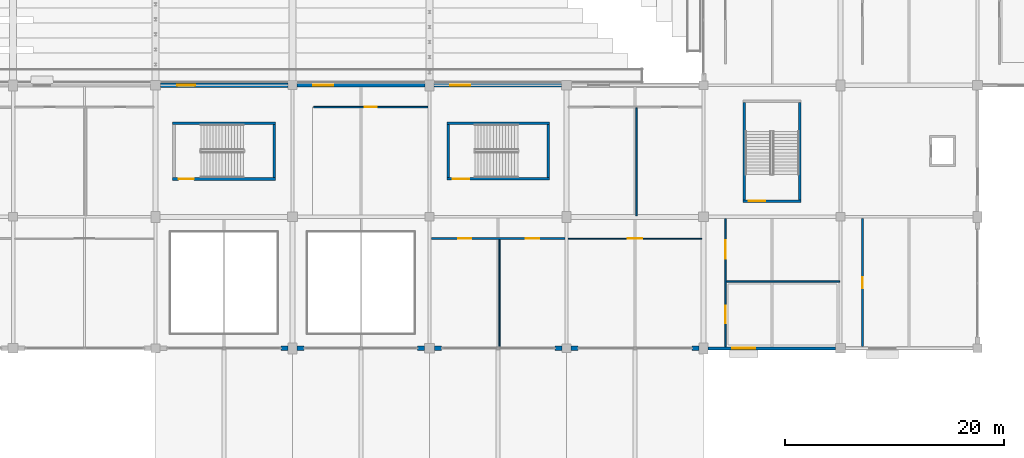
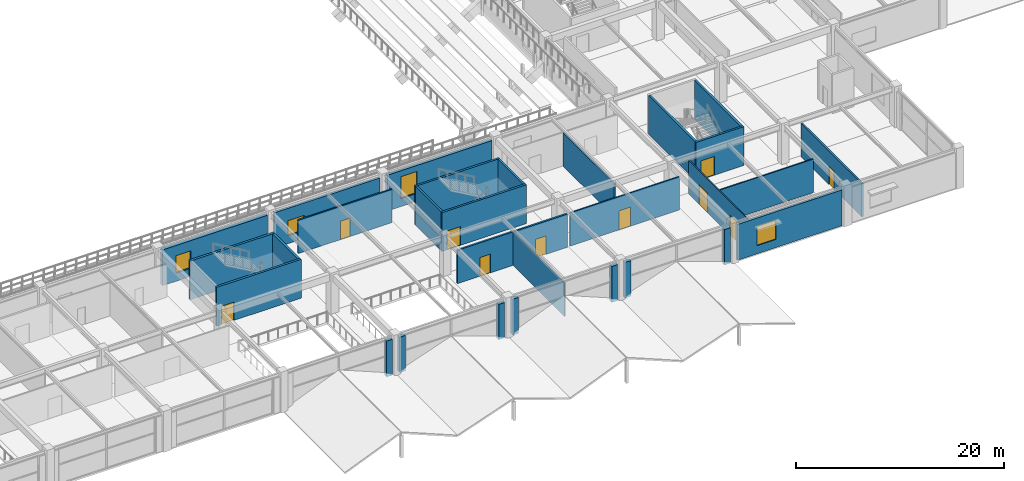
# One storey, part 83 of 134: 29 walls, 10 doors, 4 windows, 14 openings.
"""IFC4 building model written with IfcOpenShell, lengths in metres."""

from ifc_helpers import new_model, si_unit, direction, frame, frame_2d, origin, place, context, subcontext, project, spatial, rectangle, extrude, material, layer, layer_set, type_object, element, fill, save


model = new_model("IFC4")

# Units and contexts
model_context = context("Model", 3, precision=1e-05, world=origin(), true_north=direction((0.0, 1.0)))
body_context = subcontext(model_context, "Body", "Model", "MODEL_VIEW")
ifc_project = project(units=[si_unit("LENGTHUNIT", "METRE"), si_unit("AREAUNIT", "SQUARE_METRE"), si_unit("VOLUMEUNIT", "CUBIC_METRE"), si_unit("PLANEANGLEUNIT", "RADIAN"), si_unit("MASSUNIT", "GRAM", prefix="KILO")], contexts=[model_context])

# Site, building, storey
site_placement = place(None, origin())
site = spatial("IfcSite", under=ifc_project, at=site_placement, CompositionType="ELEMENT")
building_placement = place(site_placement, origin())
building = spatial("IfcBuilding", under=site, at=building_placement, Name="Kazenohara Klinker Stadium", CompositionType="ELEMENT")
storey_placement = place(building_placement, frame((0.0, 0.0, 5.39990234375)))
storey = spatial("IfcBuildingStorey", under=building, at=storey_placement, Name="L01", CompositionType="ELEMENT", Elevation=5.39990234375)

# Wall, opening, door
ifc_material_1 = material(Name="Concrete C40/50", Category="concrete")
ifc_layer_1 = layer(ifc_material_1, 0.22998046875)
ifc_layer_set_1 = layer_set([ifc_layer_1], Name="Concrete C40/50")
wall_type_1 = type_object("IfcWallType", Name="WAL-CORE-230", PredefinedType="SHEAR", material=ifc_layer_set_1)
wall_1_placement = place(storey_placement, frame((178.590087890625, 25.43505859375, 0.0), z_axis=(0.0, 0.0, 1.0), x_axis=(1.0, 0.0, 0.0)))
wall_1 = element("IfcWall", 1, at=wall_1_placement, inside=storey, type_object=wall_type_1, Name="Stairwell shear wall ST16 L01 South", PredefinedType="SHEAR", context=body_context, shape_type="SweptSolid", body=[
    extrude(rectangle(XDim=5.31982421875, YDim=0.22998046875, at=frame_2d((2.659912109375, 0.0))), origin(), (0.0, 0.0, 1.0), 4.550048828125),
])
opening_1_placement = place(wall_1_placement, frame((0.550048828125, 0.0, 0.0)))
opening_1 = element("IfcOpeningElement", 2, at=opening_1_placement, cuts=wall_1, Name="Opening SD02", PredefinedType="OPENING", context=body_context, shape_type="SweptSolid", body=[
    extrude(rectangle(XDim=1.5, YDim=2.199951171875, at=frame_2d((0.75, 1.10009765625))), frame((0.0, 0.125, 0.0), z_axis=(0.0, -1.0, 0.0), x_axis=(1.0, 0.0, 0.0)), (0.0, 0.0, 1.0), 0.25),
])
ifc_material_2 = material(Name="Flush painted steel fire door leaf", Category="steel")
door_type_1 = type_object("IfcDoorType", Name="DR-STR-1500x2200", OperationType="NOTDEFINED", PredefinedType="DOOR", material=ifc_material_2)
door_1_placement = place(opening_1_placement, origin())
door_1 = element("IfcDoor", 3, at=door_1_placement, inside=storey, type_object=door_type_1, Name="Escape stairwell fire door ST16-L01", OperationType="SINGLE_SWING_RIGHT", OverallHeight=2.199951171875, OverallWidth=1.5, PredefinedType="DOOR", context=body_context, shape_type="SweptSolid", body=[
    extrude(rectangle(XDim=1.5, YDim=2.199951171875, at=frame_2d((0.75, 1.10009765625))), frame((0.0, 0.02490234375, 0.0), z_axis=(0.0, -1.0, 0.0), x_axis=(1.0, 0.0, 0.0)), (0.0, 0.0, 1.0), 0.050048828125),
])
fill(opening_1, door_1)

# Walls
for number, where, z_axis, x_axis, name in (
    (4, (178.705078125, 25.550048828125, 0.0), (0.0, 0.0, 1.0), (0.0, 1.0, 0.0), "Stairwell shear wall ST16 L01 West"),
    (5, (183.794921875, 25.550048828125, 0.0), (0.0, 0.0, 1.0), (0.0, 1.0, 0.0), "Stairwell shear wall ST16 L01 East"),
):
    element("IfcWall", number, at=place(storey_placement, frame(where, z_axis=z_axis, x_axis=x_axis)), inside=storey, type_object=wall_type_1, Name=name, PredefinedType="SHEAR", context=body_context, shape_type="SweptSolid", body=[
        extrude(rectangle(XDim=8.89990234375, YDim=0.22998046875, at=frame_2d((4.449951171875, 0.0))), origin(), (0.0, 0.0, 1.0), 4.550048828125),
    ])

# Wall, opening, door
wall_2_placement = place(storey_placement, frame((151.570068359375, 27.455078125, 0.0), z_axis=(0.0, 0.0, 1.0), x_axis=(1.0, 0.0, 0.0)))
wall_2 = element("IfcWall", 6, at=wall_2_placement, inside=storey, type_object=wall_type_1, Name="Stairwell shear wall ST28 L01 South", PredefinedType="SHEAR", context=body_context, shape_type="SweptSolid", body=[
    extrude(rectangle(XDim=9.35986328125, YDim=0.22998046875, at=frame_2d((4.679931640625, 0.0))), origin(), (0.0, 0.0, 1.0), 4.550048828125),
])
opening_2_placement = place(wall_2_placement, frame((0.550048828125, 0.0, 0.0)))
opening_2 = element("IfcOpeningElement", 7, at=opening_2_placement, cuts=wall_2, Name="Opening SD02", PredefinedType="OPENING", context=body_context, shape_type="SweptSolid", body=[
    extrude(rectangle(XDim=1.5, YDim=2.199951171875, at=frame_2d((0.75, 1.10009765625))), frame((0.0, 0.125, 0.0), z_axis=(0.0, -1.0, 0.0), x_axis=(1.0, 0.0, 0.0)), (0.0, 0.0, 1.0), 0.25),
])
door_2_placement = place(opening_2_placement, origin())
door_2 = element("IfcDoor", 8, at=door_2_placement, inside=storey, type_object=door_type_1, Name="Escape stairwell fire door ST28-L01", OperationType="SINGLE_SWING_RIGHT", OverallHeight=2.199951171875, OverallWidth=1.5, PredefinedType="DOOR", context=body_context, shape_type="SweptSolid", body=[
    extrude(rectangle(XDim=1.5, YDim=2.199951171875, at=frame_2d((0.75, 1.10009765625))), frame((0.0, 0.02490234375, 0.0), z_axis=(0.0, -1.0, 0.0), x_axis=(1.0, 0.0, 0.0)), (0.0, 0.0, 1.0), 0.050048828125),
])
fill(opening_2, door_2)

# Walls
wall_3_placement = place(storey_placement, frame((151.570068359375, 32.544921875, 0.0), z_axis=(0.0, 0.0, 1.0), x_axis=(1.0, 0.0, 0.0)))
element("IfcWall", 9, at=wall_3_placement, inside=storey, type_object=wall_type_1, Name="Stairwell shear wall ST28 L01 North", PredefinedType="SHEAR", context=body_context, shape_type="SweptSolid", body=[
    extrude(rectangle(XDim=9.35986328125, YDim=0.22998046875, at=frame_2d((4.679931640625, 0.0))), origin(), (0.0, 0.0, 1.0), 4.550048828125),
])
for number, where, z_axis, x_axis, name in (
    (10, (151.68505859375, 27.570068359375, 0.0), (0.0, 0.0, 1.0), (0.0, 1.0, 0.0), "Stairwell shear wall ST28 L01 West"),
    (11, (160.81494140625, 27.570068359375, 0.0), (0.0, 0.0, 1.0), (0.0, 1.0, 0.0), "Stairwell shear wall ST28 L01 East"),
):
    element("IfcWall", number, at=place(storey_placement, frame(where, z_axis=z_axis, x_axis=x_axis)), inside=storey, type_object=wall_type_1, Name=name, PredefinedType="SHEAR", context=body_context, shape_type="SweptSolid", body=[
        extrude(rectangle(XDim=4.85986328125, YDim=0.22998046875, at=frame_2d((2.429931640625, 0.0))), origin(), (0.0, 0.0, 1.0), 4.550048828125),
    ])

# Wall, opening, door
ifc_layer_2 = layer(ifc_material_1, 0.25)
ifc_layer_set_2 = layer_set([ifc_layer_2], Name="Concrete C40/50")
wall_type_2 = type_object("IfcWallType", Name="WAL-CORE-250", PredefinedType="SHEAR", material=ifc_layer_set_2)
wall_4_placement = place(storey_placement, frame((126.550048828125, 27.455078125, 0.0), z_axis=(0.0, 0.0, 1.0), x_axis=(1.0, 0.0, 0.0)))
wall_4 = element("IfcWall", 12, at=wall_4_placement, inside=storey, type_object=wall_type_2, Name="Stairwell shear wall ST27 L01 South", PredefinedType="SHEAR", context=body_context, shape_type="SweptSolid", body=[
    extrude(rectangle(XDim=9.39990234375, YDim=0.25, at=frame_2d((4.699951171875, 0.0))), origin(), (0.0, 0.0, 1.0), 4.550048828125),
])
opening_3_placement = place(wall_4_placement, frame((0.550048828125, 0.0, 0.0)))
opening_3 = element("IfcOpeningElement", 13, at=opening_3_placement, cuts=wall_4, Name="Opening SD01", PredefinedType="OPENING", context=body_context, shape_type="SweptSolid", body=[
    extrude(rectangle(XDim=1.39990234375, YDim=2.14990234375, at=frame_2d((0.699951171875, 1.074951171875))), frame((0.0, 0.135009765625, 0.0), z_axis=(0.0, -1.0, 0.0), x_axis=(1.0, 0.0, 0.0)), (0.0, 0.0, 1.0), 0.27001953125),
])
door_type_2 = type_object("IfcDoorType", Name="DR-STR-1400x2150", OperationType="NOTDEFINED", PredefinedType="DOOR", material=ifc_material_2)
door_3_placement = place(opening_3_placement, origin())
door_3 = element("IfcDoor", 14, at=door_3_placement, inside=storey, type_object=door_type_2, Name="Escape stairwell fire door ST27-L01", OperationType="SINGLE_SWING_RIGHT", OverallHeight=2.14990234375, OverallWidth=1.39990234375, PredefinedType="DOOR", context=body_context, shape_type="SweptSolid", body=[
    extrude(rectangle(XDim=1.39990234375, YDim=2.14990234375, at=frame_2d((0.699951171875, 1.074951171875))), frame((0.0, 0.02490234375, 0.0), z_axis=(0.0, -1.0, 0.0), x_axis=(1.0, 0.0, 0.0)), (0.0, 0.0, 1.0), 0.050048828125),
])
fill(opening_3, door_3)

# Walls
wall_5_placement = place(storey_placement, frame((126.550048828125, 32.544921875, 0.0), z_axis=(0.0, 0.0, 1.0), x_axis=(1.0, 0.0, 0.0)))
element("IfcWall", 15, at=wall_5_placement, inside=storey, type_object=wall_type_2, Name="Stairwell shear wall ST27 L01 North", PredefinedType="SHEAR", context=body_context, shape_type="SweptSolid", body=[
    extrude(rectangle(XDim=9.39990234375, YDim=0.25, at=frame_2d((4.699951171875, 0.0))), origin(), (0.0, 0.0, 1.0), 4.550048828125),
])
wall_6_placement = place(storey_placement, frame((135.824951171875, 27.580078125, 0.0), z_axis=(0.0, 0.0, 1.0), x_axis=(0.0, 1.0, 0.0)))
element("IfcWall", 16, at=wall_6_placement, inside=storey, type_object=wall_type_2, Name="Stairwell shear wall ST27 L01 East", PredefinedType="SHEAR", context=body_context, shape_type="SweptSolid", body=[
    extrude(rectangle(XDim=4.83984375, YDim=0.25, at=frame_2d((2.419921875, 0.0))), origin(), (0.0, 0.0, 1.0), 4.550048828125),
])

# Wall, opening, window
ifc_material_3 = material(Name="Clinker brick masonry", Category="masonry")
ifc_layer_3 = layer(ifc_material_3, 0.280029296875)
ifc_layer_set_3 = layer_set([ifc_layer_3], Name="Clinker brick masonry")
wall_type_3 = type_object("IfcWallType", Name="WAL-EXT-CB280", PredefinedType="SOLIDWALL", material=ifc_layer_set_3)
wall_7_placement = place(storey_placement, frame((137.904052734375, 36.0, 0.0), z_axis=(0.0, 0.0, 1.0), x_axis=(1.0, 0.0, 0.0)))
wall_7 = element("IfcWall", 17, at=wall_7_placement, inside=storey, type_object=wall_type_3, Name="Clinker brick cavity wall EW06 L01 X11-3", PredefinedType="SOLIDWALL", context=body_context, shape_type="SweptSolid", body=[
    extrude(rectangle(XDim=11.69189453125, YDim=0.280029296875, at=frame_2d((5.845947265625, 0.0))), origin(), (0.0, 0.0, 1.0), 4.150146484375),
])
opening_4_placement = place(wall_7_placement, frame((1.5, 0.0, 0.949951171875)))
opening_4 = element("IfcOpeningElement", 18, at=opening_4_placement, cuts=wall_7, Name="Opening W13", PredefinedType="OPENING", context=body_context, shape_type="SweptSolid", body=[
    extrude(rectangle(XDim=1.800048828125, YDim=1.75, at=frame_2d((0.89990234375, 0.875))), frame((0.0, 0.14990234375, 0.0), z_axis=(0.0, -1.0, 0.0), x_axis=(1.0, 0.0, 0.0)), (0.0, 0.0, 1.0), 0.300048828125),
])
ifc_material_4 = material(Name="Dark bronze aluminium frame and triple glazing", Category="aluminium")
window_type_1 = type_object("IfcWindowType", Name="WIN-AS-13", PartitioningType="SINGLE_PANEL", PredefinedType="WINDOW", material=ifc_material_4)
window_1_placement = place(opening_4_placement, origin())
window_1 = element("IfcWindow", 19, at=window_1_placement, inside=storey, type_object=window_type_1, Name="Horizontal-mullion ladder window W13 L01 X11-3", OverallHeight=1.75, OverallWidth=1.800048828125, PartitioningType="SINGLE_PANEL", PredefinedType="WINDOW", context=body_context, shape_type="SweptSolid", body=[
    extrude(rectangle(XDim=1.800048828125, YDim=1.75, at=frame_2d((0.89990234375, 0.875))), frame((0.0, 0.030029296875, 0.0), z_axis=(0.0, -1.0, 0.0), x_axis=(1.0, 0.0, 0.0)), (0.0, 0.0, 1.0), 0.06005859375),
])
fill(opening_4, window_1)

wall_8_placement = place(storey_placement, frame((175.404052734375, 12.0, 0.0), z_axis=(0.0, 0.0, 1.0), x_axis=(1.0, 0.0, 0.0)))
wall_8 = element("IfcWall", 20, at=wall_8_placement, inside=storey, type_object=wall_type_3, Name="Clinker brick cavity wall EW06 L01 X14-1", PredefinedType="SOLIDWALL", context=body_context, shape_type="SweptSolid", body=[
    extrude(rectangle(XDim=11.641845703125, YDim=0.280029296875, at=frame_2d((5.82080078125, 0.0))), origin(), (0.0, 0.0, 1.0), 4.2001953125),
])
opening_5_placement = place(wall_8_placement, frame((2.216064453125, 0.0, 0.949951171875)))
opening_5 = element("IfcOpeningElement", 21, at=opening_5_placement, cuts=wall_8, Name="Opening W19", PredefinedType="OPENING", context=body_context, shape_type="SweptSolid", body=[
    extrude(rectangle(XDim=2.10009765625, YDim=2.25, at=frame_2d((1.050048828125, 1.125))), frame((0.0, 0.14990234375, 0.0), z_axis=(0.0, -1.0, 0.0), x_axis=(1.0, 0.0, 0.0)), (0.0, 0.0, 1.0), 0.300048828125),
])
window_type_2 = type_object("IfcWindowType", Name="WIN-AS-19", PartitioningType="SINGLE_PANEL", PredefinedType="WINDOW", material=ifc_material_4)
window_2_placement = place(opening_5_placement, origin())
window_2 = element("IfcWindow", 22, at=window_2_placement, inside=storey, type_object=window_type_2, Name="Horizontal-mullion ladder window W19 L01 X14-1", OverallHeight=2.25, OverallWidth=2.10009765625, PartitioningType="SINGLE_PANEL", PredefinedType="WINDOW", context=body_context, shape_type="SweptSolid", body=[
    extrude(rectangle(XDim=2.10009765625, YDim=2.25, at=frame_2d((1.050048828125, 1.125))), frame((0.0, 0.030029296875, 0.0), z_axis=(0.0, -1.0, 0.0), x_axis=(1.0, 0.0, 0.0)), (0.0, 0.0, 1.0), 0.06005859375),
])
fill(opening_5, window_2)

ifc_layer_4 = layer(ifc_material_3, 0.340087890625)
ifc_layer_set_4 = layer_set([ifc_layer_4], Name="Clinker brick masonry")
wall_type_4 = type_object("IfcWallType", Name="WAL-EXT-CB340", PredefinedType="SOLIDWALL", material=ifc_layer_set_4)
wall_9_placement = place(storey_placement, frame((150.404052734375, 36.0, 0.0), z_axis=(0.0, 0.0, 1.0), x_axis=(1.0, 0.0, 0.0)))
wall_9 = element("IfcWall", 23, at=wall_9_placement, inside=storey, type_object=wall_type_4, Name="Clinker brick cavity wall EW04 L01 X12-3", PredefinedType="SOLIDWALL", context=body_context, shape_type="SweptSolid", body=[
    extrude(rectangle(XDim=11.641845703125, YDim=0.340087890625, at=frame_2d((5.82080078125, 0.0))), origin(), (0.0, 0.0, 1.0), 4.2001953125),
])
opening_6_placement = place(wall_9_placement, frame((1.5, 0.0, 0.949951171875)))
opening_6 = element("IfcOpeningElement", 24, at=opening_6_placement, cuts=wall_9, Name="Opening W15", PredefinedType="OPENING", context=body_context, shape_type="SweptSolid", body=[
    extrude(rectangle(XDim=1.800048828125, YDim=2.550048828125, at=frame_2d((0.89990234375, 1.27490234375))), frame((0.0, 0.18017578125, 0.0), z_axis=(0.0, -1.0, 0.0), x_axis=(1.0, 0.0, 0.0)), (0.0, 0.0, 1.0), 0.360107421875),
])
window_type_3 = type_object("IfcWindowType", Name="WIN-AS-15", PartitioningType="SINGLE_PANEL", PredefinedType="WINDOW", material=ifc_material_4)
window_3_placement = place(opening_6_placement, origin())
window_3 = element("IfcWindow", 25, at=window_3_placement, inside=storey, type_object=window_type_3, Name="Horizontal-mullion ladder window W15 L01 X12-3", OverallHeight=2.550048828125, OverallWidth=1.800048828125, PartitioningType="SINGLE_PANEL", PredefinedType="WINDOW", context=body_context, shape_type="SweptSolid", body=[
    extrude(rectangle(XDim=1.800048828125, YDim=2.550048828125, at=frame_2d((0.89990234375, 1.27490234375))), frame((0.0, 0.030029296875, 0.0), z_axis=(0.0, -1.0, 0.0), x_axis=(1.0, 0.0, 0.0)), (0.0, 0.0, 1.0), 0.06005859375),
])
fill(opening_6, window_3)

# Wall
ifc_layer_5 = layer(ifc_material_3, 0.409912109375)
ifc_layer_set_5 = layer_set([ifc_layer_5], Name="Clinker brick masonry")
wall_type_5 = type_object("IfcWallType", Name="WAL-EXT-CB410", PredefinedType="SOLIDWALL", material=ifc_layer_set_5)
wall_10_placement = place(storey_placement, frame((136.446044921875, 12.0, 0.0), z_axis=(0.0, 0.0, 1.0), x_axis=(1.0, 0.0, 0.0)))
element("IfcWall", 26, at=wall_10_placement, inside=storey, type_object=wall_type_5, Name="Clinker brick curtain-wall jamb pier L01 X10-1 B", PredefinedType="SOLIDWALL", context=body_context, shape_type="SweptSolid", body=[
    extrude(rectangle(XDim=0.64990234375, YDim=0.409912109375, at=frame_2d((0.324951171875, 0.0))), origin(), (0.0, 0.0, 1.0), 4.2001953125),
])

# Wall, opening, window
wall_11_placement = place(storey_placement, frame((125.4541015625, 36.0, 0.0), z_axis=(0.0, 0.0, 1.0), x_axis=(1.0, 0.0, 0.0)))
wall_11 = element("IfcWall", 27, at=wall_11_placement, inside=storey, type_object=wall_type_5, Name="Clinker brick cavity wall EW02 L01 X10-3", PredefinedType="SOLIDWALL", context=body_context, shape_type="SweptSolid", body=[
    extrude(rectangle(XDim=11.641845703125, YDim=0.409912109375, at=frame_2d((5.82080078125, 0.0))), origin(), (0.0, 0.0, 1.0), 4.2001953125),
])
opening_7_placement = place(wall_11_placement, frame((1.5, 0.0, 0.949951171875)))
opening_7 = element("IfcOpeningElement", 28, at=opening_7_placement, cuts=wall_11, Name="Opening W11", PredefinedType="OPENING", context=body_context, shape_type="SweptSolid", body=[
    extrude(rectangle(XDim=1.64990234375, YDim=2.050048828125, at=frame_2d((0.824951171875, 1.02490234375))), frame((0.0, 0.21484375, 0.0), z_axis=(0.0, -1.0, 0.0), x_axis=(1.0, 0.0, 0.0)), (0.0, 0.0, 1.0), 0.429931640625),
])
window_type_4 = type_object("IfcWindowType", Name="WIN-AS-11", PartitioningType="SINGLE_PANEL", PredefinedType="WINDOW", material=ifc_material_4)
window_4_placement = place(opening_7_placement, origin())
window_4 = element("IfcWindow", 29, at=window_4_placement, inside=storey, type_object=window_type_4, Name="Horizontal-mullion ladder window W11 L01 X10-3", OverallHeight=2.050048828125, OverallWidth=1.64990234375, PartitioningType="SINGLE_PANEL", PredefinedType="WINDOW", context=body_context, shape_type="SweptSolid", body=[
    extrude(rectangle(XDim=1.64990234375, YDim=2.050048828125, at=frame_2d((0.824951171875, 1.02490234375))), frame((0.0, 0.030029296875, 0.0), z_axis=(0.0, -1.0, 0.0), x_axis=(1.0, 0.0, 0.0)), (0.0, 0.0, 1.0), 0.06005859375),
])
fill(opening_7, window_4)

# Walls
for number, where, z_axis, x_axis, name in (
    (30, (137.904052734375, 12.0, 0.0), (0.0, 0.0, 1.0), (1.0, 0.0, 0.0), "Clinker brick curtain-wall jamb pier L01 X11-1 A"),
    (31, (148.89599609375, 12.0, 0.0), (0.0, 0.0, 1.0), (1.0, 0.0, 0.0), "Clinker brick curtain-wall jamb pier L01 X11-1 B"),
):
    element("IfcWall", number, at=place(storey_placement, frame(where, z_axis=z_axis, x_axis=x_axis)), inside=storey, type_object=wall_type_5, Name=name, PredefinedType="SOLIDWALL", context=body_context, shape_type="SweptSolid", body=[
        extrude(rectangle(XDim=0.64990234375, YDim=0.409912109375, at=frame_2d((0.324951171875, 0.0))), origin(), (0.0, 0.0, 1.0), 4.150146484375),
    ])
for number, where, z_axis, x_axis, name in (
    (32, (150.4541015625, 12.0, 0.0), (0.0, 0.0, 1.0), (1.0, 0.0, 0.0), "Clinker brick curtain-wall jamb pier L01 X12-1 A"),
    (33, (161.446044921875, 12.0, 0.0), (0.0, 0.0, 1.0), (1.0, 0.0, 0.0), "Clinker brick curtain-wall jamb pier L01 X12-1 B"),
):
    element("IfcWall", number, at=place(storey_placement, frame(where, z_axis=z_axis, x_axis=x_axis)), inside=storey, type_object=wall_type_5, Name=name, PredefinedType="SOLIDWALL", context=body_context, shape_type="SweptSolid", body=[
        extrude(rectangle(XDim=0.64990234375, YDim=0.409912109375, at=frame_2d((0.324951171875, 0.0))), origin(), (0.0, 0.0, 1.0), 4.2001953125),
    ])
for number, where, z_axis, x_axis, name in (
    (34, (162.904052734375, 12.0, 0.0), (0.0, 0.0, 1.0), (1.0, 0.0, 0.0), "Clinker brick curtain-wall jamb pier L01 X13-1 A"),
    (35, (173.946044921875, 12.0, 0.0), (0.0, 0.0, 1.0), (1.0, 0.0, 0.0), "Clinker brick curtain-wall jamb pier L01 X13-1 B"),
):
    element("IfcWall", number, at=place(storey_placement, frame(where, z_axis=z_axis, x_axis=x_axis)), inside=storey, type_object=wall_type_5, Name=name, PredefinedType="SOLIDWALL", context=body_context, shape_type="SweptSolid", body=[
        extrude(rectangle(XDim=0.64990234375, YDim=0.409912109375, at=frame_2d((0.324951171875, 0.0))), origin(), (0.0, 0.0, 1.0), 4.150146484375),
    ])
ifc_material_5 = material(Name="Fire-rated gypsum board on acoustic studs", Category="gypsum")
ifc_layer_6 = layer(ifc_material_5, 0.110107421875)
ifc_layer_set_6 = layer_set([ifc_layer_6], Name="Fire-rated gypsum board on acoustic studs")
wall_type_6 = type_object("IfcWallType", Name="WAL-INT-P110", PredefinedType="PARTITIONING", material=ifc_layer_set_6)
wall_12_placement = place(storey_placement, frame((156.371826171875, 12.02392578125, 0.0), z_axis=(0.0, 0.0, 1.0), x_axis=(0.0, 1.0, 0.0)))
element("IfcWall", 36, at=wall_12_placement, inside=storey, type_object=wall_type_6, Name="Interior partition wall PT01 SPC-L01-12-01-1-2", PredefinedType="PARTITIONING", context=body_context, shape_type="SweptSolid", body=[
    extrude(rectangle(XDim=9.885986328125, YDim=0.110107421875, at=frame_2d((4.94287109375, 0.0))), origin(), (0.0, 0.0, 1.0), 3.920166015625),
])

# Wall, opening, door
wall_13_placement = place(storey_placement, frame((162.659912109375, 22.010009765625, 0.0), z_axis=(0.0, 0.0, 1.0), x_axis=(1.0, 0.0, 0.0)))
wall_13 = element("IfcWall", 37, at=wall_13_placement, inside=storey, type_object=wall_type_6, Name="Interior partition wall PT01 SPC-L01-13-01-1-1", PredefinedType="PARTITIONING", context=body_context, shape_type="SweptSolid", body=[
    extrude(rectangle(XDim=12.18017578125, YDim=0.110107421875, at=frame_2d((6.090087890625, 0.0))), origin(), (0.0, 0.0, 1.0), 3.920166015625),
])
opening_8_placement = place(wall_13_placement, frame((6.739990234375, 0.0, 0.0), z_axis=(0.0, 0.0, 1.0), x_axis=(-1.0, 0.0, 0.0)))
opening_8 = element("IfcOpeningElement", 38, at=opening_8_placement, cuts=wall_13, Name="Opening ID15", PredefinedType="OPENING", context=body_context, shape_type="SweptSolid", body=[
    extrude(rectangle(XDim=1.300048828125, YDim=2.239990234375, at=frame_2d((0.64990234375, 1.1201171875))), frame((0.0, 0.06494140625, 0.0), z_axis=(0.0, -1.0, 0.0), x_axis=(1.0, 0.0, 0.0)), (0.0, 0.0, 1.0), 0.130126953125),
])
ifc_material_6 = material(Name="Solid-core Hokkaido oak fire door", Category="wood")
door_type_3 = type_object("IfcDoorType", Name="DR-INT-15", OperationType="NOTDEFINED", PredefinedType="DOOR", material=ifc_material_6)
door_4_placement = place(opening_8_placement, origin())
door_4 = element("IfcDoor", 39, at=door_4_placement, inside=storey, type_object=door_type_3, Name="Interior door ID15 Spectator First-Aid Medical Clinic L01-1301A", OperationType="SINGLE_SWING_RIGHT", OverallHeight=2.239990234375, OverallWidth=1.300048828125, PredefinedType="DOOR", context=body_context, shape_type="SweptSolid", body=[
    extrude(rectangle(XDim=1.300048828125, YDim=2.239990234375, at=frame_2d((0.64990234375, 1.1201171875))), frame((0.0, 0.02490234375, 0.0), z_axis=(0.0, -1.0, 0.0), x_axis=(1.0, 0.0, 0.0)), (0.0, 0.0, 1.0), 0.050048828125),
])
fill(opening_8, door_4)

# Wall, openings, doors
ifc_layer_7 = layer(ifc_material_5, 0.1201171875)
ifc_layer_set_7 = layer_set([ifc_layer_7], Name="Fire-rated gypsum board on acoustic studs")
wall_type_7 = type_object("IfcWallType", Name="WAL-INT-P120", PredefinedType="PARTITIONING", material=ifc_layer_set_7)
wall_14_placement = place(storey_placement, frame((176.989990234375, 12.14208984375, 0.0), z_axis=(0.0, 0.0, 1.0), x_axis=(0.0, 1.0, 0.0)))
wall_14 = element("IfcWall", 40, at=wall_14_placement, inside=storey, type_object=wall_type_7, Name="Interior partition wall PT02 SPC-L01-14-01-1-1", PredefinedType="PARTITIONING", context=body_context, shape_type="SweptSolid", body=[
    extrude(rectangle(XDim=11.697998046875, YDim=0.1201171875, at=frame_2d((5.84912109375, 0.0))), origin(), (0.0, 0.0, 1.0), 3.920166015625),
])
opening_9_placement = place(wall_14_placement, frame((3.756591796875, 0.0, 0.0), z_axis=(0.0, 0.0, 1.0), x_axis=(-1.0, 0.0, 0.0)))
opening_9 = element("IfcOpeningElement", 41, at=opening_9_placement, cuts=wall_14, Name="Opening ID23", PredefinedType="OPENING", context=body_context, shape_type="SweptSolid", body=[
    extrude(rectangle(XDim=1.60009765625, YDim=2.300048828125, at=frame_2d((0.800048828125, 1.14990234375))), frame((0.0, 0.070068359375, 0.0), z_axis=(0.0, -1.0, 0.0), x_axis=(1.0, 0.0, 0.0)), (0.0, 0.0, 1.0), 0.14013671875),
])
opening_10_placement = place(wall_14_placement, frame((9.701416015625, 0.0, 0.0), z_axis=(0.0, 0.0, 1.0), x_axis=(-1.0, 0.0, 0.0)))
opening_10 = element("IfcOpeningElement", 42, at=opening_10_placement, cuts=wall_14, Name="Opening ID24", PredefinedType="OPENING", context=body_context, shape_type="SweptSolid", body=[
    extrude(rectangle(XDim=1.64990234375, YDim=2.280029296875, at=frame_2d((0.824951171875, 1.14013671875))), frame((0.0, 0.070068359375, 0.0), z_axis=(0.0, -1.0, 0.0), x_axis=(1.0, 0.0, 0.0)), (0.0, 0.0, 1.0), 0.14013671875),
])
ifc_material_7 = material(Name="Painted steel plant fire door", Category="steel")
door_type_4 = type_object("IfcDoorType", Name="DR-INT-23", OperationType="NOTDEFINED", PredefinedType="DOOR", material=ifc_material_7)
door_5_placement = place(opening_9_placement, origin())
door_5 = element("IfcDoor", 43, at=door_5_placement, inside=storey, type_object=door_type_4, Name="Interior door ID23 Community Martial Arts Fitness Studio L01-1401A", OperationType="SINGLE_SWING_RIGHT", OverallHeight=2.300048828125, OverallWidth=1.60009765625, PredefinedType="DOOR", context=body_context, shape_type="SweptSolid", body=[
    extrude(rectangle(XDim=1.60009765625, YDim=2.300048828125, at=frame_2d((0.800048828125, 1.14990234375))), frame((0.0, 0.02490234375, 0.0), z_axis=(0.0, -1.0, 0.0), x_axis=(1.0, 0.0, 0.0)), (0.0, 0.0, 1.0), 0.050048828125),
])
fill(opening_9, door_5)
door_type_5 = type_object("IfcDoorType", Name="DR-INT-24", OperationType="NOTDEFINED", PredefinedType="DOOR", material=ifc_material_7)
door_6_placement = place(opening_10_placement, origin())
door_6 = element("IfcDoor", 44, at=door_6_placement, inside=storey, type_object=door_type_5, Name="Interior door ID24 Spectator First-Aid Medical Clinic L01-1401B", OperationType="SINGLE_SWING_LEFT", OverallHeight=2.280029296875, OverallWidth=1.64990234375, PredefinedType="DOOR", context=body_context, shape_type="SweptSolid", body=[
    extrude(rectangle(XDim=1.64990234375, YDim=2.280029296875, at=frame_2d((0.824951171875, 1.14013671875))), frame((0.0, 0.02490234375, 0.0), z_axis=(0.0, -1.0, 0.0), x_axis=(1.0, 0.0, 0.0)), (0.0, 0.0, 1.0), 0.050048828125),
])
fill(opening_10, door_6)

# Wall
ifc_layer_8 = layer(ifc_material_5, 0.139892578125)
ifc_layer_set_8 = layer_set([ifc_layer_8], Name="Fire-rated gypsum board on acoustic studs")
wall_type_8 = type_object("IfcWallType", Name="WAL-INT-P140", PredefinedType="PARTITIONING", material=ifc_layer_set_8)
wall_15_placement = place(storey_placement, frame((177.054931640625, 18.11669921875, 0.0), z_axis=(0.0, 0.0, 1.0), x_axis=(1.0, 0.0, 0.0)))
element("IfcWall", 45, at=wall_15_placement, inside=storey, type_object=wall_type_8, Name="Interior partition wall PT03 SPC-L01-14-01-1-2", PredefinedType="PARTITIONING", context=body_context, shape_type="SweptSolid", body=[
    extrude(rectangle(XDim=10.364990234375, YDim=0.139892578125, at=frame_2d((5.1826171875, 0.0))), origin(), (0.0, 0.0, 1.0), 3.920166015625),
])

# Wall, opening, door
ifc_layer_9 = layer(ifc_material_5, 0.14990234375)
ifc_layer_set_9 = layer_set([ifc_layer_9], Name="Fire-rated gypsum board on acoustic studs")
wall_type_9 = type_object("IfcWallType", Name="WAL-INT-P150", PredefinedType="PARTITIONING", material=ifc_layer_set_9)
wall_16_placement = place(storey_placement, frame((139.419921875, 34.010009765625, 0.0), z_axis=(0.0, 0.0, 1.0), x_axis=(1.0, 0.0, 0.0)))
wall_16 = element("IfcWall", 46, at=wall_16_placement, inside=storey, type_object=wall_type_9, Name="Interior partition wall PT04 SPC-L01-11-02-1-1", PredefinedType="PARTITIONING", context=body_context, shape_type="SweptSolid", body=[
    extrude(rectangle(XDim=10.420166015625, YDim=0.14990234375, at=frame_2d((5.2099609375, 0.0))), origin(), (0.0, 0.0, 1.0), 3.920166015625),
])
opening_11_placement = place(wall_16_placement, frame((5.755126953125, 0.0, 0.0), z_axis=(0.0, 0.0, 1.0), x_axis=(-1.0, 0.0, 0.0)))
opening_11 = element("IfcOpeningElement", 47, at=opening_11_placement, cuts=wall_16, Name="Opening ID08", PredefinedType="OPENING", context=body_context, shape_type="SweptSolid", body=[
    extrude(rectangle(XDim=1.090087890625, YDim=2.159912109375, at=frame_2d((0.544921875, 1.080078125))), frame((0.0, 0.0849609375, 0.0), z_axis=(0.0, -1.0, 0.0), x_axis=(1.0, 0.0, 0.0)), (0.0, 0.0, 1.0), 0.169921875),
])
door_type_6 = type_object("IfcDoorType", Name="DR-INT-08", OperationType="NOTDEFINED", PredefinedType="DOOR", material=ifc_material_6)
door_7_placement = place(opening_11_placement, origin())
door_7 = element("IfcDoor", 48, at=door_7_placement, inside=storey, type_object=door_type_6, Name="Interior door ID08 Youth Sports Coaching Classroom L01-1102A", OperationType="SINGLE_SWING_LEFT", OverallHeight=2.159912109375, OverallWidth=1.090087890625, PredefinedType="DOOR", context=body_context, shape_type="SweptSolid", body=[
    extrude(rectangle(XDim=1.090087890625, YDim=2.159912109375, at=frame_2d((0.544921875, 1.080078125))), frame((0.0, 0.02490234375, 0.0), z_axis=(0.0, -1.0, 0.0), x_axis=(1.0, 0.0, 0.0)), (0.0, 0.0, 1.0), 0.050048828125),
])
fill(opening_11, door_7)

# Wall
wall_17_placement = place(storey_placement, frame((168.871826171875, 24.080078125, 0.0), z_axis=(0.0, 0.0, 1.0), x_axis=(0.0, 1.0, 0.0)))
element("IfcWall", 49, at=wall_17_placement, inside=storey, type_object=wall_type_9, Name="Interior partition wall PT04 SPC-L01-13-02-1-2", PredefinedType="PARTITIONING", context=body_context, shape_type="SweptSolid", body=[
    extrude(rectangle(XDim=9.85498046875, YDim=0.14990234375, at=frame_2d((4.927490234375, 0.0))), origin(), (0.0, 0.0, 1.0), 3.920166015625),
])

# Wall, openings, doors
ifc_layer_10 = layer(ifc_material_5, 0.18994140625)
ifc_layer_set_10 = layer_set([ifc_layer_10], Name="Fire-rated gypsum board on acoustic studs")
wall_type_10 = type_object("IfcWallType", Name="WAL-INT-P190", PredefinedType="PARTITIONING", material=ifc_layer_set_10)
wall_18_placement = place(storey_placement, frame((150.159912109375, 22.010009765625, 0.0), z_axis=(0.0, 0.0, 1.0), x_axis=(1.0, 0.0, 0.0)))
wall_18 = element("IfcWall", 50, at=wall_18_placement, inside=storey, type_object=wall_type_10, Name="Interior partition wall PT06 SPC-L01-12-01-1-1", PredefinedType="PARTITIONING", context=body_context, shape_type="SweptSolid", body=[
    extrude(rectangle(XDim=12.18017578125, YDim=0.18994140625, at=frame_2d((6.090087890625, 0.0))), origin(), (0.0, 0.0, 1.0), 3.920166015625),
])
opening_12_placement = place(wall_18_placement, frame((3.65576171875, 0.0, 0.0), z_axis=(0.0, 0.0, 1.0), x_axis=(-1.0, 0.0, 0.0)))
opening_12 = element("IfcOpeningElement", 51, at=opening_12_placement, cuts=wall_18, Name="Opening ID11", PredefinedType="OPENING", context=body_context, shape_type="SweptSolid", body=[
    extrude(rectangle(XDim=1.179931640625, YDim=2.199951171875, at=frame_2d((0.58984375, 1.10009765625))), frame((0.0, 0.10498046875, 0.0), z_axis=(0.0, -1.0, 0.0), x_axis=(1.0, 0.0, 0.0)), (0.0, 0.0, 1.0), 0.2099609375),
])
opening_13_placement = place(wall_18_placement, frame((9.8408203125, 0.0, 0.0), z_axis=(0.0, 0.0, 1.0), x_axis=(-1.0, 0.0, 0.0)))
opening_13 = element("IfcOpeningElement", 52, at=opening_13_placement, cuts=wall_18, Name="Opening ID12", PredefinedType="OPENING", context=body_context, shape_type="SweptSolid", body=[
    extrude(rectangle(XDim=1.2099609375, YDim=2.179931640625, at=frame_2d((0.60498046875, 1.08984375))), frame((0.0, 0.10498046875, 0.0), z_axis=(0.0, -1.0, 0.0), x_axis=(1.0, 0.0, 0.0)), (0.0, 0.0, 1.0), 0.2099609375),
])
door_type_7 = type_object("IfcDoorType", Name="DR-INT-11", OperationType="NOTDEFINED", PredefinedType="DOOR", material=ifc_material_6)
door_8_placement = place(opening_12_placement, origin())
door_8 = element("IfcDoor", 53, at=door_8_placement, inside=storey, type_object=door_type_7, Name="Interior door ID11 Supporter Scarf and Jersey Retail Shop L01-1201A", OperationType="SINGLE_SWING_RIGHT", OverallHeight=2.199951171875, OverallWidth=1.179931640625, PredefinedType="DOOR", context=body_context, shape_type="SweptSolid", body=[
    extrude(rectangle(XDim=1.179931640625, YDim=2.199951171875, at=frame_2d((0.58984375, 1.10009765625))), frame((0.0, 0.02490234375, 0.0), z_axis=(0.0, -1.0, 0.0), x_axis=(1.0, 0.0, 0.0)), (0.0, 0.0, 1.0), 0.050048828125),
])
fill(opening_12, door_8)
door_type_8 = type_object("IfcDoorType", Name="DR-INT-12", OperationType="NOTDEFINED", PredefinedType="DOOR", material=ifc_material_6)
door_9_placement = place(opening_13_placement, origin())
door_9 = element("IfcDoor", 54, at=door_9_placement, inside=storey, type_object=door_type_8, Name="Interior door ID12 Family Sensory Hospitality Lounge L01-1201B", OperationType="SINGLE_SWING_LEFT", OverallHeight=2.179931640625, OverallWidth=1.2099609375, PredefinedType="DOOR", context=body_context, shape_type="SweptSolid", body=[
    extrude(rectangle(XDim=1.2099609375, YDim=2.179931640625, at=frame_2d((0.60498046875, 1.08984375))), frame((0.0, 0.02490234375, 0.0), z_axis=(0.0, -1.0, 0.0), x_axis=(1.0, 0.0, 0.0)), (0.0, 0.0, 1.0), 0.050048828125),
])
fill(opening_13, door_9)

# Wall, opening, door
wall_19_placement = place(storey_placement, frame((189.489990234375, 12.172119140625, 0.0), z_axis=(0.0, 0.0, 1.0), x_axis=(0.0, 1.0, 0.0)))
wall_19 = element("IfcWall", 55, at=wall_19_placement, inside=storey, type_object=wall_type_10, Name="Interior partition wall PT06 SPC-L01-15-01-1-1", PredefinedType="PARTITIONING", context=body_context, shape_type="SweptSolid", body=[
    extrude(rectangle(XDim=11.66796875, YDim=0.18994140625, at=frame_2d((5.833984375, 0.0))), origin(), (0.0, 0.0, 1.0), 3.920166015625),
])
opening_14_placement = place(wall_19_placement, frame((6.327880859375, 0.0, 0.0), z_axis=(0.0, 0.0, 1.0), x_axis=(-1.0, 0.0, 0.0)))
opening_14 = element("IfcOpeningElement", 56, at=opening_14_placement, cuts=wall_19, Name="Opening ID05", PredefinedType="OPENING", context=body_context, shape_type="SweptSolid", body=[
    extrude(rectangle(XDim=1.0, YDim=2.139892578125, at=frame_2d((0.5, 1.06982421875))), frame((0.0, 0.10498046875, 0.0), z_axis=(0.0, -1.0, 0.0), x_axis=(1.0, 0.0, 0.0)), (0.0, 0.0, 1.0), 0.2099609375),
])
door_type_9 = type_object("IfcDoorType", Name="DR-INT-05", OperationType="NOTDEFINED", PredefinedType="DOOR", material=ifc_material_6)
door_10_placement = place(opening_14_placement, origin())
door_10 = element("IfcDoor", 57, at=door_10_placement, inside=storey, type_object=door_type_9, Name="Interior door ID05 Spectator First-Aid Medical Clinic L01-1501A", OperationType="SINGLE_SWING_RIGHT", OverallHeight=2.139892578125, OverallWidth=1.0, PredefinedType="DOOR", context=body_context, shape_type="SweptSolid", body=[
    extrude(rectangle(XDim=1.0, YDim=2.139892578125, at=frame_2d((0.5, 1.06982421875))), frame((0.0, 0.02490234375, 0.0), z_axis=(0.0, -1.0, 0.0), x_axis=(1.0, 0.0, 0.0)), (0.0, 0.0, 1.0), 0.050048828125),
])
fill(opening_14, door_10)

save(model, "model.ifc")
